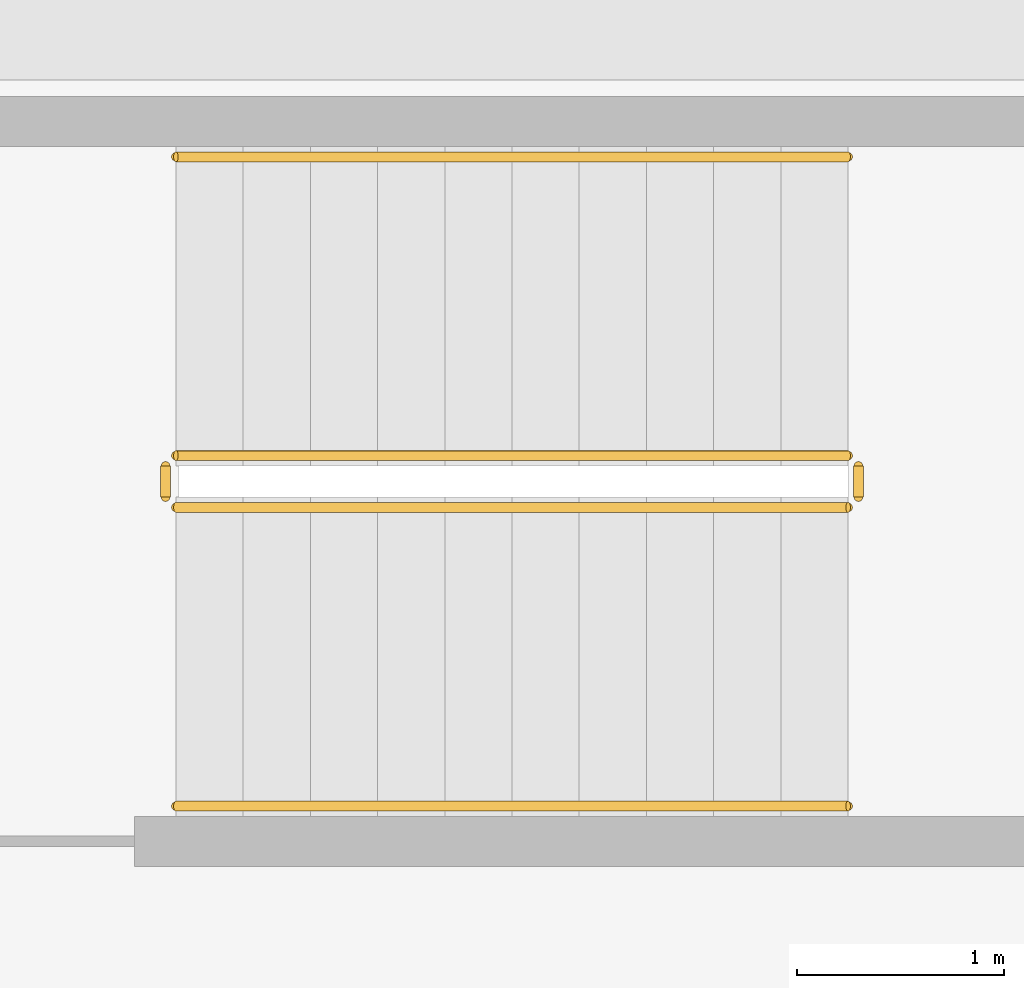
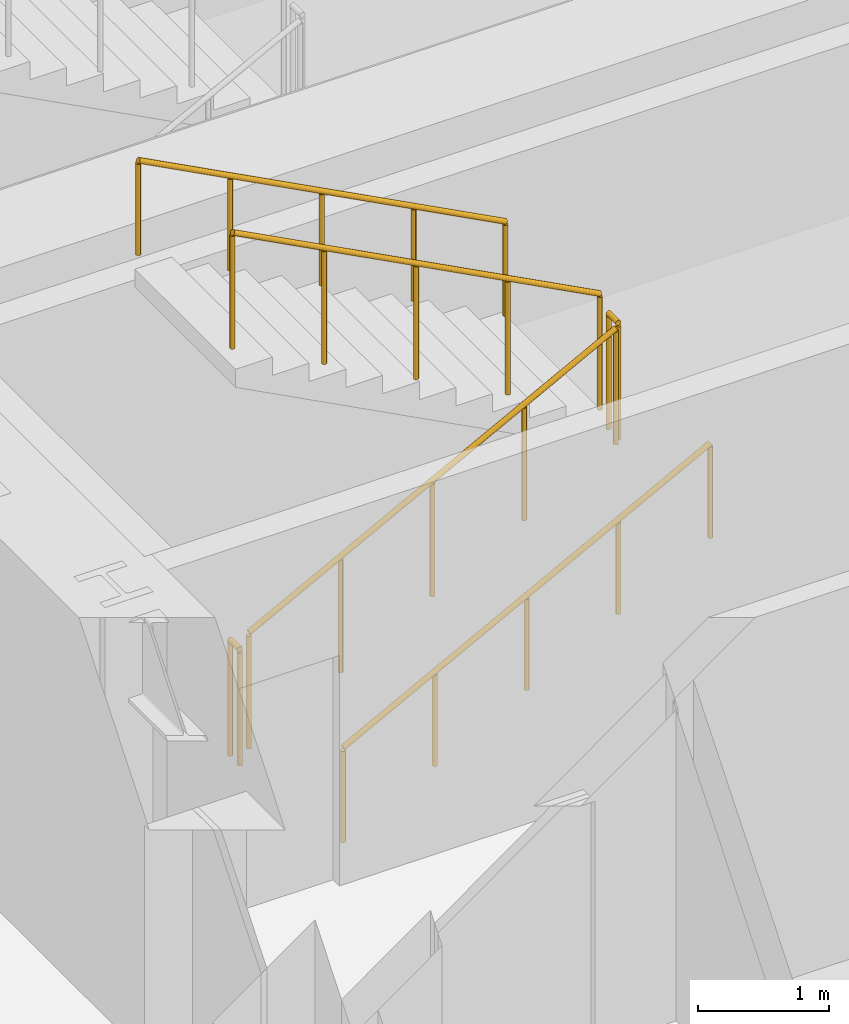
# One storey, part 11 of 14: 6 railings.
"""IFC4 building model written with IfcOpenShell, lengths in metres."""

from ifc_helpers import new_model, si_unit, direction, frame, origin, origin_2d, place, context, subcontext, project, spatial, circle, extrude, material, type_object, element, save


model = new_model("IFC4")

# Units and contexts
model_context = context("Model", 3, precision=1e-05, world=origin(), true_north=direction((0.0, 1.0)))
body_context = subcontext(model_context, "Body", "Model", "MODEL_VIEW")
ifc_project = project(units=[si_unit("LENGTHUNIT", "METRE"), si_unit("AREAUNIT", "SQUARE_METRE"), si_unit("VOLUMEUNIT", "CUBIC_METRE"), si_unit("PLANEANGLEUNIT", "RADIAN"), si_unit("MASSUNIT", "GRAM", prefix="KILO")], contexts=[model_context])

# Site, building, storey
site_placement = place(None, origin())
site = spatial("IfcSite", under=ifc_project, at=site_placement, CompositionType="ELEMENT")
building_placement = place(site_placement, origin())
building = spatial("IfcBuilding", under=site, at=building_placement, Name="Kolvaren Arena Tower", CompositionType="ELEMENT")
storey_placement = place(building_placement, frame((0.0, 0.0, 79.5)))
storey = spatial("IfcBuildingStorey", under=building, at=storey_placement, Name="L17", CompositionType="ELEMENT", Elevation=79.5)

# Railings
ifc_material_1 = material(Name="Painted galvanized steel", Category="steel")
railing_type_1 = type_object("IfcRailingType", Name="GUARD-ST-110", PredefinedType="GUARDRAIL", material=ifc_material_1)
railing_1_placement = place(storey_placement, frame((52.719970703125, 31.639892578125, 0.17041015625)))
element("IfcRailing", 1, at=railing_1_placement, inside=storey, type_object=railing_type_1, Name="L17 ST-E1 stair guard 1", PredefinedType="GUARDRAIL", context=body_context, shape_type="SweptSolid", body=[
    extrude(circle(Radius=0.02392578125, at=origin_2d()), frame((0.0, 0.0, 1.076171875), z_axis=(0.884993431791, 0.0, 0.465603506952), x_axis=(0.0, 1.0, 0.0)), (0.0, 0.0, 1.0), 3.6611328125),
    extrude(circle(Radius=0.02099609375, at=origin_2d()), origin(), (0.0, 0.0, 1.0), 1.052001953125),
    extrude(circle(Radius=0.02099609375, at=origin_2d()), frame((0.81005859375, 0.0, 0.42626953125)), (0.0, 0.0, 1.0), 1.052001953125),
    extrude(circle(Radius=0.02099609375, at=origin_2d()), frame((1.6201171875, 0.0, 0.852294921875)), (0.0, 0.0, 1.0), 1.052001953125),
    extrude(circle(Radius=0.02099609375, at=origin_2d()), frame((2.429931640625, 0.0, 1.2783203125)), (0.0, 0.0, 1.0), 1.052001953125),
    extrude(circle(Radius=0.02099609375, at=origin_2d()), frame((3.239990234375, 0.0, 1.70458984375)), (0.0, 0.0, 1.0), 1.052001953125),
])
railing_2_placement = place(storey_placement, frame((56.010009765625, 31.68994140625, 1.875)))
element("IfcRailing", 2, at=railing_2_placement, inside=storey, type_object=railing_type_1, Name="L17 ST-E1 stair guard 2", PredefinedType="GUARDRAIL", context=body_context, shape_type="SweptSolid", body=[
    extrude(circle(Radius=0.02392578125, at=origin_2d()), frame((0.0, 0.0, 1.076171875), z_axis=(0.0, 1.0, 0.0), x_axis=(-1.0, 0.0, 0.0)), (0.0, 0.0, 1.0), 0.150146484375),
    extrude(circle(Radius=0.02099609375, at=origin_2d()), origin(), (0.0, 0.0, 1.0), 1.052001953125),
    extrude(circle(Radius=0.02099609375, at=origin_2d()), frame((0.0, 0.150146484375, 0.0)), (0.0, 0.0, 1.0), 1.052001953125),
])
railing_3_placement = place(storey_placement, frame((55.9599609375, 31.889892578125, 2.04541015625)))
element("IfcRailing", 3, at=railing_3_placement, inside=storey, type_object=railing_type_1, Name="L17 ST-E1 stair guard 3", PredefinedType="GUARDRAIL", context=body_context, shape_type="SweptSolid", body=[
    extrude(circle(Radius=0.02392578125, at=origin_2d()), frame((0.0, 0.0, 1.076171875), z_axis=(-0.884993431791, 0.0, 0.465603506952), x_axis=(0.0, -1.0, 0.0)), (0.0, 0.0, 1.0), 3.6611328125),
    extrude(circle(Radius=0.02099609375, at=origin_2d()), origin(), (0.0, 0.0, 1.0), 1.052001953125),
    extrude(circle(Radius=0.02099609375, at=origin_2d()), frame((-0.81005859375, 0.0, 0.42626953125)), (0.0, 0.0, 1.0), 1.052001953125),
    extrude(circle(Radius=0.02099609375, at=origin_2d()), frame((-1.6201171875, 0.0, 0.852294921875)), (0.0, 0.0, 1.0), 1.052001953125),
    extrude(circle(Radius=0.02099609375, at=origin_2d()), frame((-2.429931640625, 0.0, 1.2783203125)), (0.0, 0.0, 1.0), 1.052001953125),
    extrude(circle(Radius=0.02099609375, at=origin_2d()), frame((-3.239990234375, 0.0, 1.70458984375)), (0.0, 0.0, 1.0), 1.052001953125),
])
railing_4_placement = place(storey_placement, frame((52.669921875, 31.68994140625, 0.0)))
element("IfcRailing", 4, at=railing_4_placement, inside=storey, type_object=railing_type_1, Name="L17 ST-E1 stair guard 4", PredefinedType="GUARDRAIL", context=body_context, shape_type="SweptSolid", body=[
    extrude(circle(Radius=0.02392578125, at=origin_2d()), frame((0.0, 0.0, 1.076171875), z_axis=(0.0, 1.0, 0.0), x_axis=(-1.0, 0.0, 0.0)), (0.0, 0.0, 1.0), 0.150146484375),
    extrude(circle(Radius=0.02099609375, at=origin_2d()), origin(), (0.0, 0.0, 1.0), 1.052001953125),
    extrude(circle(Radius=0.02099609375, at=origin_2d()), frame((0.0, 0.150146484375, 0.0)), (0.0, 0.0, 1.0), 1.052001953125),
])
ifc_material_2 = material(Name="Brushed stainless steel handrail", Category="steel")
railing_type_2 = type_object("IfcRailingType", Name="HRAIL-900", PredefinedType="HANDRAIL", material=ifc_material_2)
railing_5_placement = place(storey_placement, frame((52.719970703125, 30.199951171875, 0.17041015625)))
element("IfcRailing", 5, at=railing_5_placement, inside=storey, type_object=railing_type_2, Name="L17 ST-E1 stair handrail 1", PredefinedType="HANDRAIL", context=body_context, shape_type="SweptSolid", body=[
    extrude(circle(Radius=0.02392578125, at=origin_2d()), frame((0.0, 0.0, 0.8759765625), z_axis=(0.884993431791, 0.0, 0.465603506952), x_axis=(0.0, 1.0, 0.0)), (0.0, 0.0, 1.0), 3.6611328125),
    extrude(circle(Radius=0.02099609375, at=origin_2d()), origin(), (0.0, 0.0, 1.0), 0.851806640625),
    extrude(circle(Radius=0.02099609375, at=origin_2d()), frame((0.81005859375, 0.0, 0.42626953125)), (0.0, 0.0, 1.0), 0.851806640625),
    extrude(circle(Radius=0.02099609375, at=origin_2d()), frame((1.6201171875, 0.0, 0.852294921875)), (0.0, 0.0, 1.0), 0.851806640625),
    extrude(circle(Radius=0.02099609375, at=origin_2d()), frame((2.429931640625, 0.0, 1.2783203125)), (0.0, 0.0, 1.0), 0.851806640625),
    extrude(circle(Radius=0.02099609375, at=origin_2d()), frame((3.239990234375, 0.0, 1.70458984375)), (0.0, 0.0, 1.0), 0.851806640625),
])
railing_6_placement = place(storey_placement, frame((55.9599609375, 33.330078125, 2.04541015625)))
element("IfcRailing", 6, at=railing_6_placement, inside=storey, type_object=railing_type_2, Name="L17 ST-E1 stair handrail 2", PredefinedType="HANDRAIL", context=body_context, shape_type="SweptSolid", body=[
    extrude(circle(Radius=0.02392578125, at=origin_2d()), frame((0.0, 0.0, 0.8759765625), z_axis=(-0.884993431791, 0.0, 0.465603506952), x_axis=(0.0, -1.0, 0.0)), (0.0, 0.0, 1.0), 3.6611328125),
    extrude(circle(Radius=0.02099609375, at=origin_2d()), origin(), (0.0, 0.0, 1.0), 0.851806640625),
    extrude(circle(Radius=0.02099609375, at=origin_2d()), frame((-0.81005859375, 0.0, 0.42626953125)), (0.0, 0.0, 1.0), 0.851806640625),
    extrude(circle(Radius=0.02099609375, at=origin_2d()), frame((-1.6201171875, 0.0, 0.852294921875)), (0.0, 0.0, 1.0), 0.851806640625),
    extrude(circle(Radius=0.02099609375, at=origin_2d()), frame((-2.429931640625, 0.0, 1.2783203125)), (0.0, 0.0, 1.0), 0.851806640625),
    extrude(circle(Radius=0.02099609375, at=origin_2d()), frame((-3.239990234375, 0.0, 1.70458984375)), (0.0, 0.0, 1.0), 0.851806640625),
])

save(model, "model.ifc")
